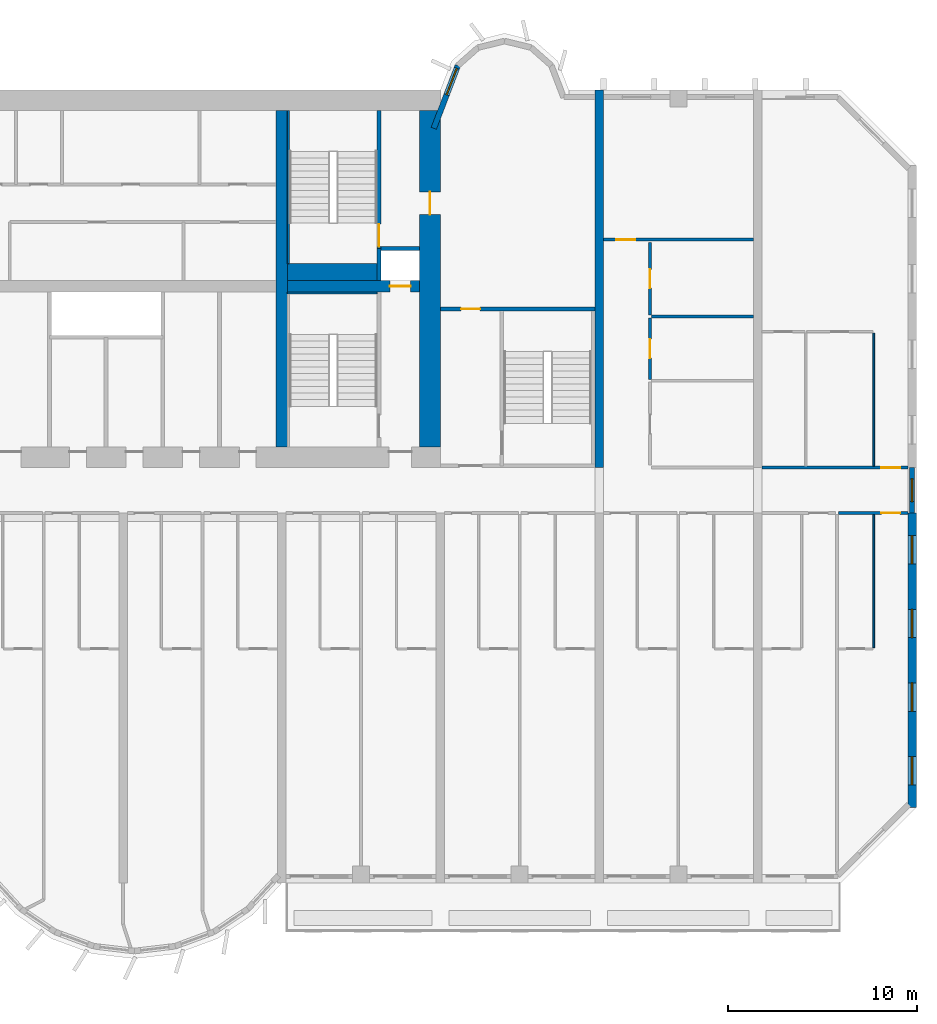
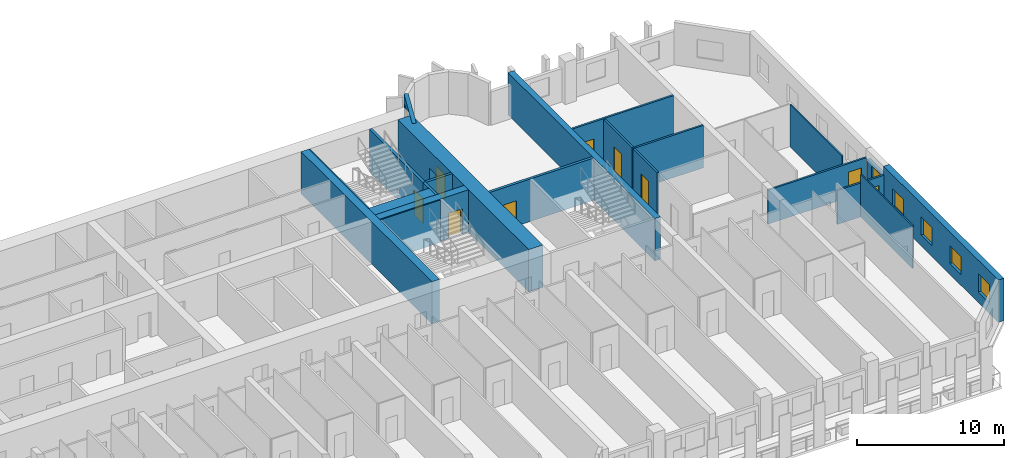
# One storey, part 10 of 15: 22 walls, 9 doors, 6 windows, 15 openings.
"""IFC4 building model written with IfcOpenShell, lengths in metres."""

from ifc_helpers import new_model, si_unit, direction, frame, frame_2d, origin, place, context, subcontext, project, spatial, rectangle, extrude, source, transform, mapped, material, layer, layer_set, type_object, element, fill, save


model = new_model("IFC4")

# Units and contexts
model_context = context("Model", 3, precision=1e-05, world=origin(), true_north=direction((0.0, 1.0)))
body_context = subcontext(model_context, "Body", "Model", "MODEL_VIEW")
ifc_project = project(units=[si_unit("LENGTHUNIT", "METRE"), si_unit("AREAUNIT", "SQUARE_METRE"), si_unit("VOLUMEUNIT", "CUBIC_METRE"), si_unit("PLANEANGLEUNIT", "RADIAN"), si_unit("MASSUNIT", "GRAM", prefix="KILO")], contexts=[model_context])

# Site, building, storey
site_placement = place(None, origin())
site = spatial("IfcSite", under=ifc_project, at=site_placement, CompositionType="ELEMENT")
building_placement = place(site_placement, origin())
building = spatial("IfcBuilding", under=site, at=building_placement, Name="Vanashikhar Sky Hotel", CompositionType="ELEMENT")
storey_placement = place(building_placement, frame((0.0, 0.0, 35.39990234375)))
storey = spatial("IfcBuildingStorey", under=building, at=storey_placement, Name="L07", CompositionType="ELEMENT", Elevation=35.39990234375)

# Wall, opening, door
ifc_material_1 = material(Name="Concrete M80", Category="concrete")
ifc_layer_1 = layer(ifc_material_1, 1.10009765625)
ifc_layer_set_1 = layer_set([ifc_layer_1], Name="RC core shell wall 1100 Concrete M80")
wall_type_1 = type_object("IfcWallType", Name="RC core shell wall 1100 Concrete M80", PredefinedType="SHEAR", material=ifc_layer_set_1)
shared_shape_1 = source(origin(), body_context, "Body", "SweptSolid", [
    extrude(rectangle(XDim=17.7998046875, YDim=1.10009765625, at=frame_2d((8.89990234375, 0.0))), origin(), (0.0, 0.0, 1.0), 3.52001953125),
])
wall_1_placement = place(storey_placement, frame((75.050048828125, 23.10009765625, 0.0), z_axis=(0.0, 0.0, 1.0), x_axis=(0.0, 1.0, 0.0)))
wall_1 = element("IfcWall", 1, at=wall_1_placement, inside=storey, type_object=wall_type_1, Name="KW-L07-KE", PredefinedType="SHEAR", context=body_context, shape_type="MappedRepresentation", body=[
    mapped(shared_shape_1, transform((0.0, 0.0, 0.0), scale=1.0)),
])
shared_shape_2 = source(origin(), body_context, "Body", "SweptSolid", [
    extrude(rectangle(XDim=1.199951171875, YDim=2.10009765625, at=frame_2d((0.60009765625, 1.050048828125))), frame((0.0, 0.56005859375, 0.0), z_axis=(0.0, -1.0, 0.0), x_axis=(1.0, 0.0, 0.0)), (0.0, 0.0, 1.0), 1.1201171875),
])
opening_1_placement = place(wall_1_placement, frame((12.300048828125, 0.0, 0.0)))
opening_1 = element("IfcOpeningElement", 2, at=opening_1_placement, cuts=wall_1, Name="Opening DC-4-D", PredefinedType="OPENING", context=body_context, shape_type="MappedRepresentation", body=[
    mapped(shared_shape_2, transform((0.0, 0.0, 0.0), scale=1.0)),
])
ifc_material_2 = material(Name="Steel", Category="steel")
door_type_1 = type_object("IfcDoorType", Name="Service door 1200 FD120", OperationType="NOTDEFINED", PredefinedType="DOOR", material=ifc_material_2)
shared_shape_3 = source(origin(), body_context, "Body", "SweptSolid", [
    extrude(rectangle(XDim=1.199951171875, YDim=2.10009765625, at=frame_2d((0.60009765625, 1.050048828125))), frame((0.0, 0.02490234375, 0.0), z_axis=(0.0, -1.0, 0.0), x_axis=(1.0, 0.0, 0.0)), (0.0, 0.0, 1.0), 0.050048828125),
])
door_1_placement = place(opening_1_placement, origin())
door_1 = element("IfcDoor", 3, at=door_1_placement, inside=storey, type_object=door_type_1, Name="Service door 1200 FD120", OperationType="SINGLE_SWING_RIGHT", OverallHeight=2.10009765625, OverallWidth=1.199951171875, PredefinedType="DOOR", context=body_context, shape_type="MappedRepresentation", body=[
    mapped(shared_shape_3, transform((0.0, 0.0, 0.0), scale=1.0)),
])
fill(opening_1, door_1)

# Wall
ifc_layer_2 = layer(ifc_material_1, 0.60009765625)
ifc_layer_set_2 = layer_set([ifc_layer_2], Name="RC core inner wall 600 Concrete M80")
wall_type_2 = type_object("IfcWallType", Name="RC core inner wall 600 Concrete M80", PredefinedType="SHEAR", material=ifc_layer_set_2)
shared_shape_4 = source(origin(), body_context, "Body", "SweptSolid", [
    extrude(rectangle(XDim=17.7998046875, YDim=0.60009765625, at=frame_2d((8.89990234375, 0.0))), origin(), (0.0, 0.0, 1.0), 3.52001953125),
])
wall_2_placement = place(storey_placement, frame((67.199951171875, 23.10009765625, 0.0), z_axis=(0.0, 0.0, 1.0), x_axis=(0.0, 1.0, 0.0)))
element("IfcWall", 4, at=wall_2_placement, inside=storey, type_object=wall_type_2, Name="KW-L07-KX3", PredefinedType="SHEAR", context=body_context, shape_type="MappedRepresentation", body=[
    mapped(shared_shape_4, transform((0.0, 0.0, 0.0), scale=1.0)),
])

# Wall, opening, door
shared_shape_5 = source(origin(), body_context, "Body", "SweptSolid", [
    extrude(rectangle(XDim=7.0, YDim=0.60009765625, at=frame_2d((3.5, 0.0))), origin(), (0.0, 0.0, 1.0), 3.52001953125),
])
wall_3_placement = place(storey_placement, frame((67.5, 31.60009765625, 0.0), z_axis=(0.0, 0.0, 1.0), x_axis=(1.0, 0.0, 0.0)))
wall_3 = element("IfcWall", 5, at=wall_3_placement, inside=storey, type_object=wall_type_2, Name="KW-L07-KY4", PredefinedType="SHEAR", context=body_context, shape_type="MappedRepresentation", body=[
    mapped(shared_shape_5, transform((0.0, 0.0, 0.0), scale=1.0)),
])
shared_shape_6 = source(origin(), body_context, "Body", "SweptSolid", [
    extrude(rectangle(XDim=1.10009765625, YDim=2.10009765625, at=frame_2d((0.550048828125, 1.050048828125))), frame((0.0, 0.31005859375, 0.0), z_axis=(0.0, -1.0, 0.0), x_axis=(1.0, 0.0, 0.0)), (0.0, 0.0, 1.0), 0.6201171875),
])
opening_2_placement = place(wall_3_placement, frame((5.425048828125, 0.0, 0.0)))
opening_2 = element("IfcOpeningElement", 6, at=opening_2_placement, cuts=wall_3, Name="Opening LD", PredefinedType="OPENING", context=body_context, shape_type="MappedRepresentation", body=[
    mapped(shared_shape_6, transform((0.0, 0.0, 0.0), scale=1.0)),
])
ifc_material_3 = material(Name="Stainless steel", Category="steel")
door_type_2 = type_object("IfcDoorType", Name="Lift landing door 1100", OperationType="NOTDEFINED", PredefinedType="DOOR", material=ifc_material_3)
shared_shape_7 = source(origin(), body_context, "Body", "SweptSolid", [
    extrude(rectangle(XDim=1.10009765625, YDim=2.10009765625, at=frame_2d((0.550048828125, 1.050048828125))), frame((0.0, 0.02490234375, 0.0), z_axis=(0.0, -1.0, 0.0), x_axis=(1.0, 0.0, 0.0)), (0.0, 0.0, 1.0), 0.050048828125),
])
door_2_placement = place(opening_2_placement, origin())
door_2 = element("IfcDoor", 7, at=door_2_placement, inside=storey, type_object=door_type_2, Name="Lift landing door 1100", OperationType="SLIDING_TO_RIGHT", OverallHeight=2.10009765625, OverallWidth=1.10009765625, PredefinedType="DOOR", context=body_context, shape_type="MappedRepresentation", body=[
    mapped(shared_shape_7, transform((0.0, 0.0, 0.0), scale=1.0)),
])
fill(opening_2, door_2)

# Wall, openings, windows
ifc_layer_3 = layer(ifc_material_1, 0.449951171875)
ifc_layer_set_3 = layer_set([ifc_layer_3], Name="RC shear wall 450 Concrete M80")
wall_type_3 = type_object("IfcWallType", Name="RC shear wall 450 Concrete M80", PredefinedType="SHEAR", material=ifc_layer_set_3)
shared_shape_8 = source(origin(), body_context, "Body", "SweptSolid", [
    extrude(rectangle(XDim=15.60009765625, YDim=0.449951171875, at=frame_2d((7.800048828125, 0.0))), origin(), (0.0, 0.0, 1.0), 3.52001953125),
])
wall_4_placement = place(storey_placement, frame((100.574951171875, 4.0, 0.0), z_axis=(0.0, 0.0, 1.0), x_axis=(0.0, 1.0, 0.0)))
wall_4 = element("IfcWall", 8, at=wall_4_placement, inside=storey, type_object=wall_type_3, Name="CW-L07-XW13-1", PredefinedType="SHEAR", context=body_context, shape_type="MappedRepresentation", body=[
    mapped(shared_shape_8, transform((0.0, 0.0, 0.0), scale=1.0)),
])
shared_shape_9 = source(origin(), body_context, "Body", "SweptSolid", [
    extrude(rectangle(XDim=1.5, YDim=1.5, at=frame_2d((0.75, 0.75))), frame((0.0, 0.23486328125, 0.0), z_axis=(0.0, -1.0, 0.0), x_axis=(1.0, 0.0, 0.0)), (0.0, 0.0, 1.0), 0.469970703125),
])
opening_3_placement = place(wall_4_placement, frame((1.199951171875, 0.0, 0.89990234375)))
opening_3 = element("IfcOpeningElement", 9, at=opening_3_placement, cuts=wall_4, Name="Opening WN-1", PredefinedType="OPENING", context=body_context, shape_type="MappedRepresentation", body=[
    mapped(shared_shape_9, transform((0.0, 0.0, 0.0), scale=1.0)),
])
opening_4_placement = place(wall_4_placement, frame((5.10009765625, 0.0, 0.89990234375)))
opening_4 = element("IfcOpeningElement", 10, at=opening_4_placement, cuts=wall_4, Name="Opening WN-1", PredefinedType="OPENING", context=body_context, shape_type="MappedRepresentation", body=[
    mapped(shared_shape_9, transform((0.0, 0.0, 0.0), scale=1.0)),
])
opening_5_placement = place(wall_4_placement, frame((9.0, 0.0, 0.89990234375)))
opening_5 = element("IfcOpeningElement", 11, at=opening_5_placement, cuts=wall_4, Name="Opening WN-1", PredefinedType="OPENING", context=body_context, shape_type="MappedRepresentation", body=[
    mapped(shared_shape_9, transform((0.0, 0.0, 0.0), scale=1.0)),
])
opening_6_placement = place(wall_4_placement, frame((12.89990234375, 0.0, 0.89990234375)))
opening_6 = element("IfcOpeningElement", 12, at=opening_6_placement, cuts=wall_4, Name="Opening WN-1", PredefinedType="OPENING", context=body_context, shape_type="MappedRepresentation", body=[
    mapped(shared_shape_9, transform((0.0, 0.0, 0.0), scale=1.0)),
])
ifc_material_4 = material(Name="Glass", Category="glass")
window_type_1 = type_object("IfcWindowType", Name="Window 1500 x 1500", PartitioningType="SINGLE_PANEL", PredefinedType="WINDOW", material=ifc_material_4)
shared_shape_10 = source(origin(), body_context, "Body", "SweptSolid", [
    extrude(rectangle(XDim=1.5, YDim=1.5, at=frame_2d((0.75, 0.75))), frame((0.0, 0.030029296875, 0.0), z_axis=(0.0, -1.0, 0.0), x_axis=(1.0, 0.0, 0.0)), (0.0, 0.0, 1.0), 0.06005859375),
])
window_1_placement = place(opening_3_placement, origin())
window_1 = element("IfcWindow", 13, at=window_1_placement, inside=storey, type_object=window_type_1, Name="Window WN-1", OverallHeight=1.5, OverallWidth=1.5, PartitioningType="SINGLE_PANEL", PredefinedType="WINDOW", context=body_context, shape_type="MappedRepresentation", body=[
    mapped(shared_shape_10, transform((0.0, 0.0, 0.0), scale=1.0)),
])
fill(opening_3, window_1)
window_2_placement = place(opening_4_placement, origin())
window_2 = element("IfcWindow", 14, at=window_2_placement, inside=storey, type_object=window_type_1, Name="Window WN-1", OverallHeight=1.5, OverallWidth=1.5, PartitioningType="SINGLE_PANEL", PredefinedType="WINDOW", context=body_context, shape_type="MappedRepresentation", body=[
    mapped(shared_shape_10, transform((0.0, 0.0, 0.0), scale=1.0)),
])
fill(opening_4, window_2)
window_3_placement = place(opening_5_placement, origin())
window_3 = element("IfcWindow", 15, at=window_3_placement, inside=storey, type_object=window_type_1, Name="Window WN-1", OverallHeight=1.5, OverallWidth=1.5, PartitioningType="SINGLE_PANEL", PredefinedType="WINDOW", context=body_context, shape_type="MappedRepresentation", body=[
    mapped(shared_shape_10, transform((0.0, 0.0, 0.0), scale=1.0)),
])
fill(opening_5, window_3)
window_4_placement = place(opening_6_placement, origin())
window_4 = element("IfcWindow", 16, at=window_4_placement, inside=storey, type_object=window_type_1, Name="Window WN-1", OverallHeight=1.5, OverallWidth=1.5, PartitioningType="SINGLE_PANEL", PredefinedType="WINDOW", context=body_context, shape_type="MappedRepresentation", body=[
    mapped(shared_shape_10, transform((0.0, 0.0, 0.0), scale=1.0)),
])
fill(opening_6, window_4)

# Wall
shared_shape_11 = source(origin(), body_context, "Body", "SweptSolid", [
    extrude(rectangle(XDim=20.0, YDim=0.449951171875, at=frame_2d((10.0, 0.0))), origin(), (0.0, 0.0, 1.0), 3.52001953125),
])
wall_5_placement = place(storey_placement, frame((84.0, 22.0, 0.0), z_axis=(0.0, 0.0, 1.0), x_axis=(0.0, 1.0, 0.0)))
element("IfcWall", 17, at=wall_5_placement, inside=storey, type_object=wall_type_3, Name="CW-L07-XW11-2", PredefinedType="SHEAR", context=body_context, shape_type="MappedRepresentation", body=[
    mapped(shared_shape_11, transform((0.0, 0.0, 0.0), scale=1.0)),
])

# Wall, opening, window
ifc_material_5 = material(Name="Concrete M50", Category="concrete")
ifc_layer_4 = layer(ifc_material_5, 0.300048828125)
ifc_layer_set_4 = layer_set([ifc_layer_4], Name="Lobe wall 300")
wall_type_4 = type_object("IfcWallType", Name="Lobe wall 300", PredefinedType="SOLIDWALL", material=ifc_layer_set_4)
shared_shape_12 = source(origin(), body_context, "Body", "SweptSolid", [
    extrude(rectangle(XDim=3.55908203125, YDim=0.300048828125, at=frame_2d((1.779541015625, 0.0))), origin(), (0.0, 0.0, 1.0), 3.52001953125),
])
wall_6_placement = place(storey_placement, frame((76.5234375, 43.2919921875, 0.0), z_axis=(0.0, 0.0, 1.0), x_axis=(-0.35779745313, -0.933799219604, 0.0)))
wall_6 = element("IfcWall", 18, at=wall_6_placement, inside=storey, type_object=wall_type_4, Name="Lobe wall", PredefinedType="SOLIDWALL", context=body_context, shape_type="MappedRepresentation", body=[
    mapped(shared_shape_12, transform((0.0, 0.0, 0.0), scale=1.0)),
])
shared_shape_13 = source(origin(), body_context, "Body", "SweptSolid", [
    extrude(rectangle(XDim=1.5, YDim=2.0, at=frame_2d((0.75, 1.0))), frame((0.0, 0.16015625, 0.0), z_axis=(0.0, -1.0, 0.0), x_axis=(1.0, 0.0, 0.0)), (0.0, 0.0, 1.0), 0.320068359375),
])
opening_7_placement = place(wall_6_placement, frame((0.156005859375, 0.0, 0.89990234375)))
opening_7 = element("IfcOpeningElement", 19, at=opening_7_placement, cuts=wall_6, Name="Opening WN-2", PredefinedType="OPENING", context=body_context, shape_type="MappedRepresentation", body=[
    mapped(shared_shape_13, transform((0.0, 0.0, 0.0), scale=1.0)),
])
window_type_2 = type_object("IfcWindowType", Name="Lobe window 1500 x 2000", PartitioningType="SINGLE_PANEL", PredefinedType="WINDOW", material=ifc_material_4)
shared_shape_14 = source(origin(), body_context, "Body", "SweptSolid", [
    extrude(rectangle(XDim=1.5, YDim=2.0, at=frame_2d((0.75, 1.0))), frame((0.0, 0.030029296875, 0.0), z_axis=(0.0, -1.0, 0.0), x_axis=(1.0, 0.0, 0.0)), (0.0, 0.0, 1.0), 0.06005859375),
])
window_5_placement = place(opening_7_placement, origin())
window_5 = element("IfcWindow", 20, at=window_5_placement, inside=storey, type_object=window_type_2, Name="Window WN-2", OverallHeight=2.0, OverallWidth=1.5, PartitioningType="SINGLE_PANEL", PredefinedType="WINDOW", context=body_context, shape_type="MappedRepresentation", body=[
    mapped(shared_shape_14, transform((0.0, 0.0, 0.0), scale=1.0)),
])
fill(opening_7, window_5)

ifc_layer_5 = layer(ifc_material_5, 0.25)
ifc_layer_set_5 = layer_set([ifc_layer_5], Name="Rear and end board-marked wall 250")
wall_type_5 = type_object("IfcWallType", Name="Rear and end board-marked wall 250", PredefinedType="SOLIDWALL", material=ifc_layer_set_5)
shared_shape_15 = source(origin(), body_context, "Body", "SweptSolid", [
    extrude(rectangle(XDim=2.39990234375, YDim=0.25, at=frame_2d((1.199951171875, 0.0))), origin(), (0.0, 0.0, 1.0), 2.6201171875),
])
wall_7_placement = place(storey_placement, frame((100.574951171875, 19.60009765625, 0.0), z_axis=(0.0, 0.0, 1.0), x_axis=(0.0, 1.0, 0.0)))
wall_7 = element("IfcWall", 21, at=wall_7_placement, inside=storey, type_object=wall_type_5, Name="End corridor infill wall", PredefinedType="SOLIDWALL", context=body_context, shape_type="MappedRepresentation", body=[
    mapped(shared_shape_15, transform((0.0, 0.0, 0.0), scale=1.0)),
])
shared_shape_16 = source(origin(), body_context, "Body", "SweptSolid", [
    extrude(rectangle(XDim=1.199951171875, YDim=1.5, at=frame_2d((0.60009765625, 0.75))), frame((0.0, 0.135009765625, 0.0), z_axis=(0.0, -1.0, 0.0), x_axis=(1.0, 0.0, 0.0)), (0.0, 0.0, 1.0), 0.27001953125),
])
opening_8_placement = place(wall_7_placement, frame((0.60009765625, 0.0, 0.89990234375)))
opening_8 = element("IfcOpeningElement", 22, at=opening_8_placement, cuts=wall_7, Name="Opening WN-3", PredefinedType="OPENING", context=body_context, shape_type="MappedRepresentation", body=[
    mapped(shared_shape_16, transform((0.0, 0.0, 0.0), scale=1.0)),
])
window_type_3 = type_object("IfcWindowType", Name="Corridor end window 1200 x 1500", PartitioningType="SINGLE_PANEL", PredefinedType="WINDOW", material=ifc_material_4)
shared_shape_17 = source(origin(), body_context, "Body", "SweptSolid", [
    extrude(rectangle(XDim=1.199951171875, YDim=1.5, at=frame_2d((0.60009765625, 0.75))), frame((0.0, 0.030029296875, 0.0), z_axis=(0.0, -1.0, 0.0), x_axis=(1.0, 0.0, 0.0)), (0.0, 0.0, 1.0), 0.06005859375),
])
window_6_placement = place(opening_8_placement, origin())
window_6 = element("IfcWindow", 23, at=window_6_placement, inside=storey, type_object=window_type_3, Name="Window WN-3", OverallHeight=1.5, OverallWidth=1.199951171875, PartitioningType="SINGLE_PANEL", PredefinedType="WINDOW", context=body_context, shape_type="MappedRepresentation", body=[
    mapped(shared_shape_17, transform((0.0, 0.0, 0.0), scale=1.0)),
])
fill(opening_8, window_6)

# Wall
ifc_material_6 = material(Name="Concrete M40", Category="concrete")
ifc_layer_6 = layer(ifc_material_6, 0.199951171875)
ifc_layer_set_6 = layer_set([ifc_layer_6], Name="Shaft wall 200")
wall_type_6 = type_object("IfcWallType", Name="Shaft wall 200", PredefinedType="SOLIDWALL", material=ifc_layer_set_6)
shared_shape_18 = source(origin(), body_context, "Body", "SweptSolid", [
    extrude(rectangle(XDim=1.7001953125, YDim=0.199951171875, at=frame_2d((0.85009765625, 0.0))), origin(), (0.0, 0.0, 1.0), 3.52001953125),
])
wall_8_placement = place(storey_placement, frame((72.35009765625, 31.89990234375, 0.0), z_axis=(0.0, 0.0, 1.0), x_axis=(0.0, 1.0, 0.0)))
element("IfcWall", 24, at=wall_8_placement, inside=storey, type_object=wall_type_6, Name="Shaft wall 200", PredefinedType="SOLIDWALL", context=body_context, shape_type="MappedRepresentation", body=[
    mapped(shared_shape_18, transform((0.0, 0.0, 0.0), scale=1.0)),
])

# Wall, opening, door
ifc_layer_7 = layer(ifc_material_5, 0.199951171875)
ifc_layer_set_7 = layer_set([ifc_layer_7], Name="Stair wall 200")
wall_type_7 = type_object("IfcWallType", Name="Stair wall 200", PredefinedType="SOLIDWALL", material=ifc_layer_set_7)
shared_shape_19 = source(origin(), body_context, "Body", "SweptSolid", [
    extrude(rectangle(XDim=7.2998046875, YDim=0.199951171875, at=frame_2d((3.64990234375, 0.0))), origin(), (0.0, 0.0, 1.0), 3.52001953125),
])
wall_9_placement = place(storey_placement, frame((72.35009765625, 33.60009765625, 0.0), z_axis=(0.0, 0.0, 1.0), x_axis=(0.0, 1.0, 0.0)))
wall_9 = element("IfcWall", 25, at=wall_9_placement, inside=storey, type_object=wall_type_7, Name="Stair wall 200", PredefinedType="SOLIDWALL", context=body_context, shape_type="MappedRepresentation", body=[
    mapped(shared_shape_19, transform((0.0, 0.0, 0.0), scale=1.0)),
])
shared_shape_20 = source(origin(), body_context, "Body", "SweptSolid", [
    extrude(rectangle(XDim=1.199951171875, YDim=2.10009765625, at=frame_2d((0.60009765625, 1.050048828125))), frame((0.0, 0.10986328125, 0.0), z_axis=(0.0, -1.0, 0.0), x_axis=(1.0, 0.0, 0.0)), (0.0, 0.0, 1.0), 0.219970703125),
])
opening_9_placement = place(wall_9_placement, frame((0.10009765625, 0.0, 0.0)))
opening_9 = element("IfcOpeningElement", 26, at=opening_9_placement, cuts=wall_9, Name="Opening DC-1", PredefinedType="OPENING", context=body_context, shape_type="MappedRepresentation", body=[
    mapped(shared_shape_20, transform((0.0, 0.0, 0.0), scale=1.0)),
])
door_type_3 = type_object("IfcDoorType", Name="Stair door 1200 FD120", OperationType="NOTDEFINED", PredefinedType="DOOR", material=ifc_material_2)
door_3_placement = place(opening_9_placement, origin())
door_3 = element("IfcDoor", 27, at=door_3_placement, inside=storey, type_object=door_type_3, Name="Stair door 1200 FD120", OperationType="SINGLE_SWING_RIGHT", OverallHeight=2.10009765625, OverallWidth=1.199951171875, PredefinedType="DOOR", context=body_context, shape_type="MappedRepresentation", body=[
    mapped(shared_shape_3, transform((0.0, 0.0, 0.0), scale=1.0)),
])
fill(opening_9, door_3)

# Wall
shared_shape_21 = source(origin(), body_context, "Body", "SweptSolid", [
    extrude(rectangle(XDim=2.050048828125, YDim=0.199951171875, at=frame_2d((1.02490234375, 0.0))), origin(), (0.0, 0.0, 1.0), 3.52001953125),
])
wall_10_placement = place(storey_placement, frame((72.449951171875, 33.60009765625, 0.0), z_axis=(0.0, 0.0, 1.0), x_axis=(1.0, 0.0, 0.0)))
element("IfcWall", 28, at=wall_10_placement, inside=storey, type_object=wall_type_6, Name="Shaft wall 200", PredefinedType="SOLIDWALL", context=body_context, shape_type="MappedRepresentation", body=[
    mapped(shared_shape_21, transform((0.0, 0.0, 0.0), scale=1.0)),
])

# Wall, opening, door
shared_shape_22 = source(origin(), body_context, "Body", "SweptSolid", [
    extrude(rectangle(XDim=8.1748046875, YDim=0.199951171875, at=frame_2d((4.08740234375, 0.0))), origin(), (0.0, 0.0, 1.0), 3.52001953125),
])
wall_11_placement = place(storey_placement, frame((83.77490234375, 30.39990234375, 0.0), z_axis=(0.0, 0.0, 1.0), x_axis=(-1.0, 0.0, 0.0)))
wall_11 = element("IfcWall", 29, at=wall_11_placement, inside=storey, type_object=wall_type_7, Name="Stair wall 200", PredefinedType="SOLIDWALL", context=body_context, shape_type="MappedRepresentation", body=[
    mapped(shared_shape_22, transform((0.0, 0.0, 0.0), scale=1.0)),
])
shared_shape_23 = source(origin(), body_context, "Body", "SweptSolid", [
    extrude(rectangle(XDim=1.0, YDim=2.10009765625, at=frame_2d((0.5, 1.050048828125))), frame((0.0, 0.10986328125, 0.0), z_axis=(0.0, -1.0, 0.0), x_axis=(1.0, 0.0, 0.0)), (0.0, 0.0, 1.0), 0.219970703125),
])
opening_10_placement = place(wall_11_placement, frame((6.074951171875, 0.0, 0.0)))
opening_10 = element("IfcOpeningElement", 30, at=opening_10_placement, cuts=wall_11, Name="Opening DC-6", PredefinedType="OPENING", context=body_context, shape_type="MappedRepresentation", body=[
    mapped(shared_shape_23, transform((0.0, 0.0, 0.0), scale=1.0)),
])
door_type_4 = type_object("IfcDoorType", Name="Pocket door 1000 FD60", OperationType="NOTDEFINED", PredefinedType="DOOR", material=ifc_material_2)
shared_shape_24 = source(origin(), body_context, "Body", "SweptSolid", [
    extrude(rectangle(XDim=1.0, YDim=2.10009765625, at=frame_2d((0.5, 1.050048828125))), frame((0.0, 0.02490234375, 0.0), z_axis=(0.0, -1.0, 0.0), x_axis=(1.0, 0.0, 0.0)), (0.0, 0.0, 1.0), 0.050048828125),
])
door_4_placement = place(opening_10_placement, origin())
door_4 = element("IfcDoor", 31, at=door_4_placement, inside=storey, type_object=door_type_4, Name="Pocket door 1000 FD60", OperationType="SINGLE_SWING_RIGHT", OverallHeight=2.10009765625, OverallWidth=1.0, PredefinedType="DOOR", context=body_context, shape_type="MappedRepresentation", body=[
    mapped(shared_shape_24, transform((0.0, 0.0, 0.0), scale=1.0)),
])
fill(opening_10, door_4)

# Walls
ifc_layer_8 = layer(ifc_material_5, 0.10009765625)
ifc_layer_set_8 = layer_set([ifc_layer_8], Name="Stair infill wall 100")
wall_type_8 = type_object("IfcWallType", Name="Stair infill wall 100", PredefinedType="SOLIDWALL", material=ifc_layer_set_8)
shared_shape_25 = source(origin(), body_context, "Body", "SweptSolid", [
    extrude(rectangle(XDim=4.75, YDim=0.10009765625, at=frame_2d((2.375, 0.0))), origin(), (0.0, 0.0, 1.0), 3.52001953125),
])
wall_12_placement = place(storey_placement, frame((67.5, 31.25, 0.0), z_axis=(0.0, 0.0, 1.0), x_axis=(1.0, 0.0, 0.0)))
element("IfcWall", 32, at=wall_12_placement, inside=storey, type_object=wall_type_8, Name="Stair infill wall 100", PredefinedType="SOLIDWALL", context=body_context, shape_type="MappedRepresentation", body=[
    mapped(shared_shape_25, transform((0.0, 0.0, 0.0), scale=1.0)),
])
shared_shape_26 = source(origin(), body_context, "Body", "SweptSolid", [
    extrude(rectangle(XDim=8.099853515625, YDim=0.10009765625, at=frame_2d((4.0498046875, 0.0))), origin(), (0.0, 0.0, 1.0), 3.52001953125),
])
wall_13_placement = place(storey_placement, frame((67.550048828125, 32.800048828125, 0.0), z_axis=(0.0, 0.0, 1.0), x_axis=(0.0, 1.0, 0.0)))
element("IfcWall", 33, at=wall_13_placement, inside=storey, type_object=wall_type_8, Name="Stair infill wall 100", PredefinedType="SOLIDWALL", context=body_context, shape_type="MappedRepresentation", body=[
    mapped(shared_shape_26, transform((0.0, 0.0, 0.0), scale=1.0)),
])
ifc_layer_9 = layer(ifc_material_5, 0.89990234375)
ifc_layer_set_9 = layer_set([ifc_layer_9], Name="Stair infill wall 900")
wall_type_9 = type_object("IfcWallType", Name="Stair infill wall 900", PredefinedType="SOLIDWALL", material=ifc_layer_set_9)
shared_shape_27 = source(origin(), body_context, "Body", "SweptSolid", [
    extrude(rectangle(XDim=4.75, YDim=0.89990234375, at=frame_2d((2.375, 0.0))), origin(), (0.0, 0.0, 1.0), 3.52001953125),
])
wall_14_placement = place(storey_placement, frame((67.5, 32.35009765625, 0.0), z_axis=(0.0, 0.0, 1.0), x_axis=(1.0, 0.0, 0.0)))
element("IfcWall", 34, at=wall_14_placement, inside=storey, type_object=wall_type_9, Name="Stair infill wall 900", PredefinedType="SOLIDWALL", context=body_context, shape_type="MappedRepresentation", body=[
    mapped(shared_shape_27, transform((0.0, 0.0, 0.0), scale=1.0)),
])
ifc_material_7 = material(Name="Gypsum plasterboard partition")
ifc_layer_10 = layer(ifc_material_7, 0.10009765625)
ifc_layer_set_10 = layer_set([ifc_layer_10], Name="Wet room partition 100")
wall_type_10 = type_object("IfcWallType", Name="Wet room partition 100", PredefinedType="PARTITIONING", material=ifc_layer_set_10)
shared_shape_28 = source(origin(), body_context, "Body", "SweptSolid", [
    extrude(rectangle(XDim=7.0498046875, YDim=0.10009765625, at=frame_2d((3.52490234375, 0.0))), origin(), (0.0, 0.0, 1.0), 3.52001953125),
])
wall_15_placement = place(storey_placement, frame((98.550048828125, 12.47509765625, 0.0), z_axis=(0.0, 0.0, 1.0), x_axis=(0.0, 1.0, 0.0)))
element("IfcWall", 35, at=wall_15_placement, inside=storey, type_object=wall_type_10, Name="W-L07-PW081", PredefinedType="PARTITIONING", context=body_context, shape_type="MappedRepresentation", body=[
    mapped(shared_shape_28, transform((0.0, 0.0, 0.0), scale=1.0)),
])

# Wall, opening, door
ifc_layer_11 = layer(ifc_material_7, 0.14990234375)
ifc_layer_set_11 = layer_set([ifc_layer_11], Name="Corridor and demising partition 150")
wall_type_11 = type_object("IfcWallType", Name="Corridor and demising partition 150", PredefinedType="PARTITIONING", material=ifc_layer_set_11)
shared_shape_29 = source(origin(), body_context, "Body", "SweptSolid", [
    extrude(rectangle(XDim=3.675048828125, YDim=0.14990234375, at=frame_2d((1.83740234375, 0.0))), origin(), (0.0, 0.0, 1.0), 2.820068359375),
])
wall_16_placement = place(storey_placement, frame((96.675048828125, 19.60009765625, 0.0), z_axis=(0.0, 0.0, 1.0), x_axis=(1.0, 0.0, 0.0)))
wall_16 = element("IfcWall", 36, at=wall_16_placement, inside=storey, type_object=wall_type_11, Name="W-L07-PW083", PredefinedType="PARTITIONING", context=body_context, shape_type="MappedRepresentation", body=[
    mapped(shared_shape_29, transform((0.0, 0.0, 0.0), scale=1.0)),
])
shared_shape_30 = source(origin(), body_context, "Body", "SweptSolid", [
    extrude(rectangle(XDim=1.0, YDim=2.10009765625, at=frame_2d((0.5, 1.050048828125))), frame((0.0, 0.0849609375, 0.0), z_axis=(0.0, -1.0, 0.0), x_axis=(1.0, 0.0, 0.0)), (0.0, 0.0, 1.0), 0.169921875),
])
opening_11_placement = place(wall_16_placement, frame((2.27490234375, 0.0, 0.0)))
opening_11 = element("IfcOpeningElement", 37, at=opening_11_placement, cuts=wall_16, Name="Opening D-01", PredefinedType="OPENING", context=body_context, shape_type="MappedRepresentation", body=[
    mapped(shared_shape_30, transform((0.0, 0.0, 0.0), scale=1.0)),
])
ifc_material_8 = material(Name="Timber fire door", Category="wood")
door_type_5 = type_object("IfcDoorType", Name="Guest entry door 1000 FD30S", OperationType="NOTDEFINED", PredefinedType="DOOR", material=ifc_material_8)
door_5_placement = place(opening_11_placement, origin())
door_5 = element("IfcDoor", 38, at=door_5_placement, inside=storey, type_object=door_type_5, Name="D-L07-048", OperationType="SINGLE_SWING_RIGHT", OverallHeight=2.10009765625, OverallWidth=1.0, PredefinedType="DOOR", context=body_context, shape_type="MappedRepresentation", body=[
    mapped(shared_shape_24, transform((0.0, 0.0, 0.0), scale=1.0)),
])
fill(opening_11, door_5)

shared_shape_31 = source(origin(), body_context, "Body", "SweptSolid", [
    extrude(rectangle(XDim=3.25, YDim=0.14990234375, at=frame_2d((1.625, 0.0))), origin(), (0.0, 0.0, 1.0), 3.52001953125),
])
wall_17_placement = place(storey_placement, frame((86.699951171875, 26.675048828125, 0.0), z_axis=(0.0, 0.0, 1.0), x_axis=(0.0, 1.0, 0.0)))
wall_17 = element("IfcWall", 39, at=wall_17_placement, inside=storey, type_object=wall_type_11, Name="W-L07-PW104", PredefinedType="PARTITIONING", context=body_context, shape_type="MappedRepresentation", body=[
    mapped(shared_shape_31, transform((0.0, 0.0, 0.0), scale=1.0)),
])
opening_12_placement = place(wall_17_placement, frame((1.125, 0.0, 0.0)))
opening_12 = element("IfcOpeningElement", 40, at=opening_12_placement, cuts=wall_17, Name="Opening D-01", PredefinedType="OPENING", context=body_context, shape_type="MappedRepresentation", body=[
    mapped(shared_shape_30, transform((0.0, 0.0, 0.0), scale=1.0)),
])
door_6_placement = place(opening_12_placement, origin())
door_6 = element("IfcDoor", 41, at=door_6_placement, inside=storey, type_object=door_type_5, Name="D-L07-058", OperationType="SINGLE_SWING_LEFT", OverallHeight=2.10009765625, OverallWidth=1.0, PredefinedType="DOOR", context=body_context, shape_type="MappedRepresentation", body=[
    mapped(shared_shape_24, transform((0.0, 0.0, 0.0), scale=1.0)),
])
fill(opening_12, door_6)

shared_shape_32 = source(origin(), body_context, "Body", "SweptSolid", [
    extrude(rectangle(XDim=3.85009765625, YDim=0.14990234375, at=frame_2d((1.925048828125, 0.0))), origin(), (0.0, 0.0, 1.0), 3.52001953125),
])
wall_18_placement = place(storey_placement, frame((86.699951171875, 30.074951171875, 0.0), z_axis=(0.0, 0.0, 1.0), x_axis=(0.0, 1.0, 0.0)))
wall_18 = element("IfcWall", 42, at=wall_18_placement, inside=storey, type_object=wall_type_11, Name="W-L07-PW106", PredefinedType="PARTITIONING", context=body_context, shape_type="MappedRepresentation", body=[
    mapped(shared_shape_32, transform((0.0, 0.0, 0.0), scale=1.0)),
])
opening_13_placement = place(wall_18_placement, frame((1.425048828125, 0.0, 0.0)))
opening_13 = element("IfcOpeningElement", 43, at=opening_13_placement, cuts=wall_18, Name="Opening D-01", PredefinedType="OPENING", context=body_context, shape_type="MappedRepresentation", body=[
    mapped(shared_shape_30, transform((0.0, 0.0, 0.0), scale=1.0)),
])
door_7_placement = place(opening_13_placement, origin())
door_7 = element("IfcDoor", 44, at=door_7_placement, inside=storey, type_object=door_type_5, Name="D-L07-059", OperationType="SINGLE_SWING_LEFT", OverallHeight=2.10009765625, OverallWidth=1.0, PredefinedType="DOOR", context=body_context, shape_type="MappedRepresentation", body=[
    mapped(shared_shape_24, transform((0.0, 0.0, 0.0), scale=1.0)),
])
fill(opening_13, door_7)

# Wall
shared_shape_33 = source(origin(), body_context, "Body", "SweptSolid", [
    extrude(rectangle(XDim=7.050048828125, YDim=0.10009765625, at=frame_2d((3.52490234375, 0.0))), origin(), (0.0, 0.0, 1.0), 3.52001953125),
])
wall_19_placement = place(storey_placement, frame((98.550048828125, 22.074951171875, 0.0), z_axis=(0.0, 0.0, 1.0), x_axis=(0.0, 1.0, 0.0)))
element("IfcWall", 45, at=wall_19_placement, inside=storey, type_object=wall_type_10, Name="W-L07-PW108", PredefinedType="PARTITIONING", context=body_context, shape_type="MappedRepresentation", body=[
    mapped(shared_shape_33, transform((0.0, 0.0, 0.0), scale=1.0)),
])

# Wall, opening, door
shared_shape_34 = source(origin(), body_context, "Body", "SweptSolid", [
    extrude(rectangle(XDim=7.72509765625, YDim=0.14990234375, at=frame_2d((3.862548828125, 0.0))), origin(), (0.0, 0.0, 1.0), 2.820068359375),
])
wall_20_placement = place(storey_placement, frame((92.625, 22.0, 0.0), z_axis=(0.0, 0.0, 1.0), x_axis=(1.0, 0.0, 0.0)))
wall_20 = element("IfcWall", 46, at=wall_20_placement, inside=storey, type_object=wall_type_11, Name="W-L07-PW112", PredefinedType="PARTITIONING", context=body_context, shape_type="MappedRepresentation", body=[
    mapped(shared_shape_34, transform((0.0, 0.0, 0.0), scale=1.0)),
])
opening_14_placement = place(wall_20_placement, frame((6.324951171875, 0.0, 0.0)))
opening_14 = element("IfcOpeningElement", 47, at=opening_14_placement, cuts=wall_20, Name="Opening D-01", PredefinedType="OPENING", context=body_context, shape_type="MappedRepresentation", body=[
    mapped(shared_shape_30, transform((0.0, 0.0, 0.0), scale=1.0)),
])
door_8_placement = place(opening_14_placement, origin())
door_8 = element("IfcDoor", 48, at=door_8_placement, inside=storey, type_object=door_type_5, Name="D-L07-063", OperationType="SINGLE_SWING_RIGHT", OverallHeight=2.10009765625, OverallWidth=1.0, PredefinedType="DOOR", context=body_context, shape_type="MappedRepresentation", body=[
    mapped(shared_shape_24, transform((0.0, 0.0, 0.0), scale=1.0)),
])
fill(opening_14, door_8)

# Wall
shared_shape_35 = source(origin(), body_context, "Body", "SweptSolid", [
    extrude(rectangle(XDim=5.400146484375, YDim=0.14990234375, at=frame_2d((2.7001953125, 0.0))), origin(), (0.0, 0.0, 1.0), 3.52001953125),
])
wall_21_placement = place(storey_placement, frame((86.77490234375, 30.0, 0.0), z_axis=(0.0, 0.0, 1.0), x_axis=(1.0, 0.0, 0.0)))
element("IfcWall", 49, at=wall_21_placement, inside=storey, type_object=wall_type_11, Name="W-L07-PW105", PredefinedType="PARTITIONING", context=body_context, shape_type="MappedRepresentation", body=[
    mapped(shared_shape_35, transform((0.0, 0.0, 0.0), scale=1.0)),
])

# Wall, opening, door
shared_shape_36 = source(origin(), body_context, "Body", "SweptSolid", [
    extrude(rectangle(XDim=7.949951171875, YDim=0.14990234375, at=frame_2d((3.97509765625, 0.0))), origin(), (0.0, 0.0, 1.0), 3.52001953125),
])
wall_22_placement = place(storey_placement, frame((84.22509765625, 34.074951171875, 0.0), z_axis=(0.0, 0.0, 1.0), x_axis=(1.0, 0.0, 0.0)))
wall_22 = element("IfcWall", 50, at=wall_22_placement, inside=storey, type_object=wall_type_11, Name="W-L07-PW107", PredefinedType="PARTITIONING", context=body_context, shape_type="MappedRepresentation", body=[
    mapped(shared_shape_36, transform((0.0, 0.0, 0.0), scale=1.0)),
])
opening_15_placement = place(wall_22_placement, frame((0.699951171875, 0.0, 0.0)))
opening_15 = element("IfcOpeningElement", 51, at=opening_15_placement, cuts=wall_22, Name="Opening D-01", PredefinedType="OPENING", context=body_context, shape_type="MappedRepresentation", body=[
    mapped(shared_shape_30, transform((0.0, 0.0, 0.0), scale=1.0)),
])
door_9_placement = place(opening_15_placement, origin())
door_9 = element("IfcDoor", 52, at=door_9_placement, inside=storey, type_object=door_type_5, Name="D-L07-060", OperationType="SINGLE_SWING_LEFT", OverallHeight=2.10009765625, OverallWidth=1.0, PredefinedType="DOOR", context=body_context, shape_type="MappedRepresentation", body=[
    mapped(shared_shape_24, transform((0.0, 0.0, 0.0), scale=1.0)),
])
fill(opening_15, door_9)

save(model, "model.ifc")
